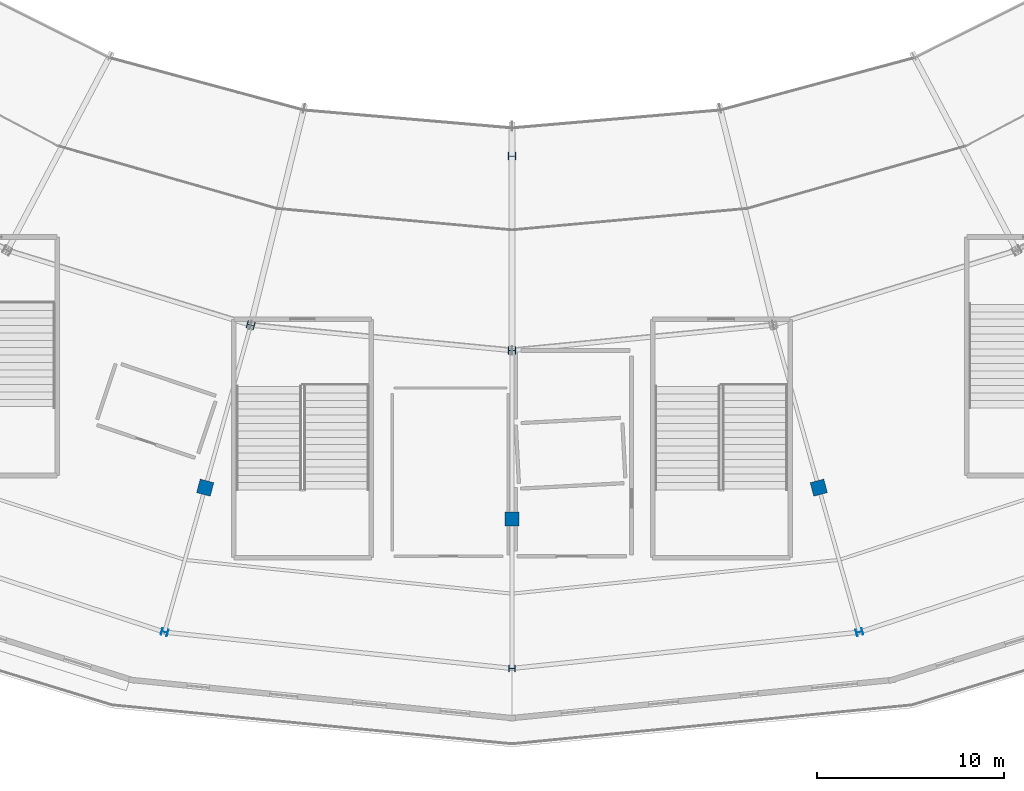
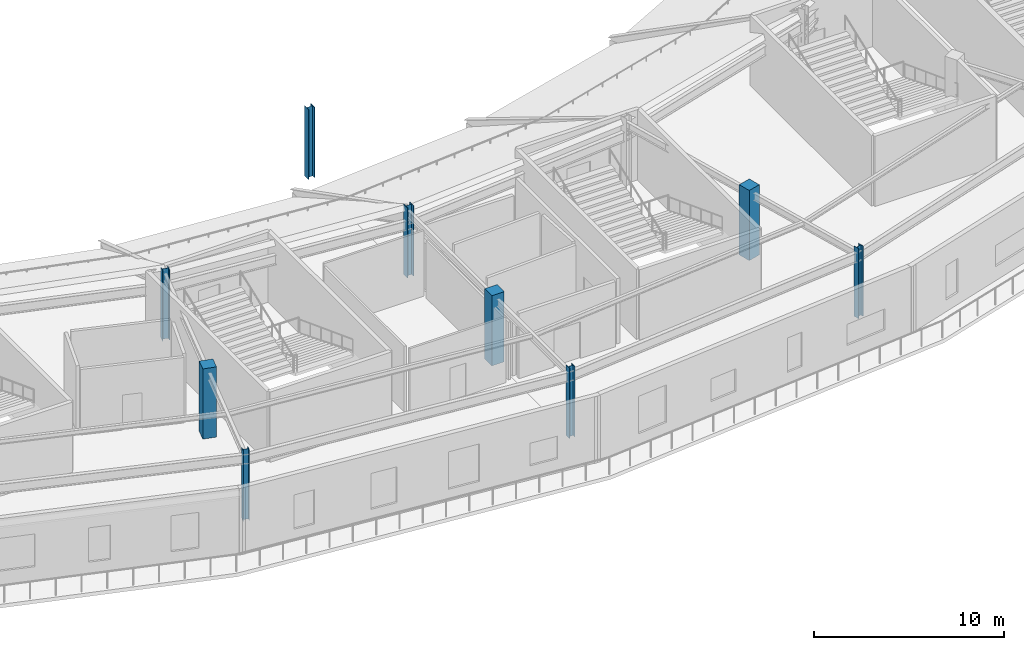
# One storey, part 4 of 63: 9 columns.
"""IFC4 building model written with IfcOpenShell, lengths in metres."""

from ifc_helpers import new_model, si_unit, direction, frame, origin, origin_2d, place, context, subcontext, project, spatial, rectangle, i_section, extrude, material, material_profile, profile_set, type_object, element, save


model = new_model("IFC4")

# Units and contexts
model_context = context("Model", 3, precision=1e-05, world=origin(), true_north=direction((0.0, 1.0)))
body_context = subcontext(model_context, "Body", "Model", "MODEL_VIEW")
ifc_project = project(units=[si_unit("LENGTHUNIT", "METRE"), si_unit("AREAUNIT", "SQUARE_METRE"), si_unit("VOLUMEUNIT", "CUBIC_METRE"), si_unit("PLANEANGLEUNIT", "RADIAN"), si_unit("MASSUNIT", "GRAM", prefix="KILO")], contexts=[model_context])

# Site, building, storey
site_placement = place(None, origin())
site = spatial("IfcSite", under=ifc_project, at=site_placement, CompositionType="ELEMENT")
building_placement = place(site_placement, origin())
building = spatial("IfcBuilding", under=site, at=building_placement, Name="Kalgoora Escarpment Arena", CompositionType="ELEMENT")
storey_placement = place(building_placement, frame((0.0, 0.0, 14.39990234375)))
storey = spatial("IfcBuildingStorey", under=building, at=storey_placement, Name="L03", CompositionType="ELEMENT", Elevation=14.39990234375)

# Columns
ifc_material_1 = material(Name="Structural steel Grade 350 (350 MPa)", Category="steel")
ifc_material_profile_1 = material_profile(ifc_material_1, i_section(OverallWidth=0.35009765625, OverallDepth=0.35009765625, WebThickness=0.013916015625, FlangeThickness=0.02392578125, at=origin_2d()))
ifc_profile_set_1 = profile_set([ifc_material_profile_1], Name="Structural steel Grade 350 (350 MPa)")
column_type_1 = type_object("IfcColumnType", Name="COL-COL-350WC197", PredefinedType="COLUMN", material=ifc_profile_set_1)
for number, where, z_axis, x_axis, name in (
    (1, (73.81689453125, 8.942138671875, 0.0), (0.0, 0.0, 1.0), (-0.258819045103, -0.965925826289, 0.0), "L03 structural column COL-RCONC2-R18"),
    (2, (92.39990234375, 7.0, 0.0), (0.0, 0.0, 1.0), (0.0, -1.0, 0.0), "L03 structural column COL-RCONC2-R19"),
    (3, (110.983154296875, 8.942138671875, 0.0), (0.0, 0.0, 1.0), (0.258819045103, -0.965925826289, 0.0), "L03 structural column COL-RCONC2-R20"),
):
    element("IfcColumn", number, at=place(storey_placement, frame(where, z_axis=z_axis, x_axis=x_axis)), inside=storey, type_object=column_type_1, Name=name, PredefinedType="COLUMN", context=body_context, shape_type="SweptSolid", body=[
        extrude(i_section(OverallWidth=0.35009765625, OverallDepth=0.35009765625, WebThickness=0.013916015625, FlangeThickness=0.02392578125, at=origin_2d()), origin(), (0.0, 0.0, 1.0), 4.5),
    ])
ifc_material_2 = material(Name="Structural steel Grade 350 (350 MPa)", Category="steel")
ifc_material_profile_2 = material_profile(ifc_material_2, i_section(OverallWidth=0.39990234375, OverallDepth=0.39990234375, WebThickness=0.01611328125, FlangeThickness=0.028076171875, at=origin_2d()))
ifc_profile_set_2 = profile_set([ifc_material_profile_2], Name="Structural steel Grade 350 (350 MPa)")
column_type_2 = type_object("IfcColumnType", Name="COL-COL-400WC212", PredefinedType="COLUMN", material=ifc_profile_set_2)
for number, where, z_axis, x_axis, name in (
    (4, (78.423828125, 25.363037109375, 0.0), (0.0, 0.0, 1.0), (-0.258819045103, -0.965925826289, 0.0), "L03 structural column COL-RMAIN-R18"),
    (5, (92.39990234375, 24.0, 0.0), (0.0, 0.0, 1.0), (0.0, -1.0, 0.0), "L03 structural column COL-RMAIN-R19"),
    (6, (92.39990234375, 34.39990234375, 0.0), (0.0, 0.0, 1.0), (0.0, -1.0, 0.0), "L03 structural column COL-TSPINE-S07"),
):
    element("IfcColumn", number, at=place(storey_placement, frame(where, z_axis=z_axis, x_axis=x_axis)), inside=storey, type_object=column_type_2, Name=name, PredefinedType="COLUMN", context=body_context, shape_type="SweptSolid", body=[
        extrude(i_section(OverallWidth=0.39990234375, OverallDepth=0.39990234375, WebThickness=0.01611328125, FlangeThickness=0.028076171875, at=origin_2d()), origin(), (0.0, 0.0, 1.0), 4.5),
    ])
ifc_material_3 = material(Name="Concrete N50 (fc' 50 MPa)", Category="concrete")
ifc_material_profile_3 = material_profile(ifc_material_3, rectangle(XDim=0.75, YDim=0.75, at=origin_2d()))
ifc_profile_set_3 = profile_set([ifc_material_profile_3], Name="Concrete N50 (fc' 50 MPa)")
column_type_3 = type_object("IfcColumnType", Name="COL-COL-RC750x750", PredefinedType="COLUMN", material=ifc_profile_set_3)
for number, where, z_axis, x_axis, name in (
    (7, (75.990966796875, 16.669677734375, 0.0), (0.0, 0.0, 1.0), (-0.258819045103, -0.965925826289, 0.0), "L03 structural column COL-RCONC1-R18"),
    (8, (92.39990234375, 15.0, 0.0), (0.0, 0.0, 1.0), (0.0, -1.0, 0.0), "L03 structural column COL-RCONC1-R19"),
    (9, (108.80908203125, 16.669677734375, 0.0), (0.0, 0.0, 1.0), (0.258819045103, -0.965925826289, 0.0), "L03 structural column COL-RCONC1-R20"),
):
    element("IfcColumn", number, at=place(storey_placement, frame(where, z_axis=z_axis, x_axis=x_axis)), inside=storey, type_object=column_type_3, Name=name, PredefinedType="COLUMN", context=body_context, shape_type="SweptSolid", body=[
        extrude(rectangle(XDim=0.75, YDim=0.75, at=origin_2d()), origin(), (0.0, 0.0, 1.0), 4.5),
    ])

save(model, "model.ifc")
